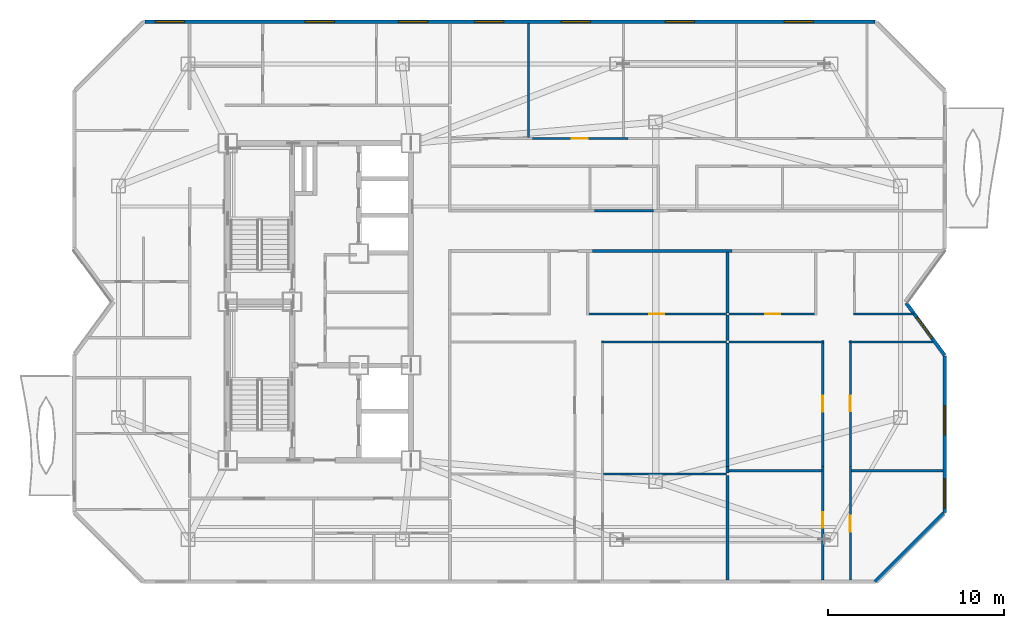
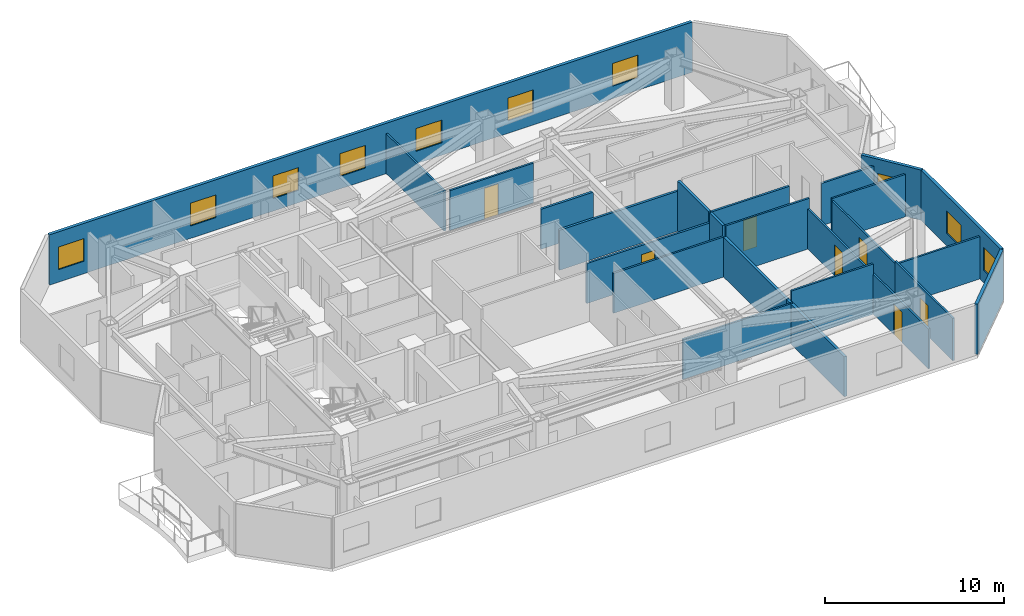
# One storey, part 7 of 10: 26 walls, 10 windows, 7 doors, 17 openings.
"""IFC4 building model written with IfcOpenShell, lengths in metres."""

from ifc_helpers import new_model, si_unit, direction, frame, frame_2d, origin, place, context, subcontext, project, spatial, rectangle, extrude, material, layer, layer_set, type_object, element, fill, save


model = new_model("IFC4")

# Units and contexts
model_context = context("Model", 3, precision=1e-05, world=origin(), true_north=direction((0.0, 1.0)))
body_context = subcontext(model_context, "Body", "Model", "MODEL_VIEW")
ifc_project = project(units=[si_unit("LENGTHUNIT", "METRE"), si_unit("AREAUNIT", "SQUARE_METRE"), si_unit("VOLUMEUNIT", "CUBIC_METRE"), si_unit("PLANEANGLEUNIT", "RADIAN"), si_unit("MASSUNIT", "GRAM", prefix="KILO")], contexts=[model_context])

# Site, building, storey
site_placement = place(None, origin())
site = spatial("IfcSite", under=ifc_project, at=site_placement, CompositionType="ELEMENT")
building_placement = place(site_placement, origin())
building = spatial("IfcBuilding", under=site, at=building_placement, Name="Khamvora Tower", CompositionType="ELEMENT")
storey_placement = place(building_placement, frame((0.0, 0.0, 228.14990234375)))
storey = spatial("IfcBuildingStorey", under=building, at=storey_placement, Name="L58", CompositionType="ELEMENT", Elevation=228.14990234375)

# Walls
ifc_material_1 = material(Name="Fire-Rated Drywall and Steel Stud", Category="steel")
ifc_layer_1 = layer(ifc_material_1, 0.14990234375)
ifc_layer_set_1 = layer_set([ifc_layer_1], Name="Fire-Rated Drywall and Steel Stud")
wall_type_1 = type_object("IfcWallType", Name="WAL-CORR-150", PredefinedType="STANDARD", material=ifc_layer_set_1)
wall_1_placement = place(storey_placement, frame((57.634033203125, 30.885009765625, 0.0), z_axis=(0.0, 0.0, 1.0), x_axis=(-1.0, 0.0, 0.0)))
element("IfcWall", 1, at=wall_1_placement, inside=storey, type_object=wall_type_1, Name="L58 interior partition wall 024", PredefinedType="STANDARD", context=body_context, shape_type="SweptSolid", body=[
    extrude(rectangle(XDim=7.93505859375, YDim=0.14990234375, at=frame_2d((3.967529296875, 0.0))), origin(), (0.0, 0.0, 1.0), 2.72509765625),
])
wall_2_placement = place(storey_placement, frame((49.819091796875, 33.1650390625, 0.0), z_axis=(0.0, 0.0, 1.0), x_axis=(1.0, 0.0, 0.0)))
element("IfcWall", 2, at=wall_2_placement, inside=storey, type_object=wall_type_1, Name="L58 interior partition wall 035", PredefinedType="STANDARD", context=body_context, shape_type="SweptSolid", body=[
    extrude(rectangle(XDim=3.366943359375, YDim=0.14990234375, at=frame_2d((1.68359375, 0.0))), origin(), (0.0, 0.0, 1.0), 2.72509765625),
])
ifc_material_2 = material(Name="Acoustic Double-Stud Fire Wall", Category="gypsum")
ifc_layer_2 = layer(ifc_material_2, 0.179931640625)
ifc_layer_set_2 = layer_set([ifc_layer_2], Name="Acoustic Double-Stud Fire Wall")
wall_type_2 = type_object("IfcWallType", Name="WAL-CORR-180", PredefinedType="STANDARD", material=ifc_layer_set_2)
wall_3_placement = place(storey_placement, frame((57.385009765625, 27.239990234375, 0.0), z_axis=(0.0, 0.0, 1.0), x_axis=(0.0, -1.0, 0.0)))
element("IfcWall", 3, at=wall_3_placement, inside=storey, type_object=wall_type_2, Name="L58 interior partition wall 072", PredefinedType="STANDARD", context=body_context, shape_type="SweptSolid", body=[
    extrude(rectangle(XDim=1.449951171875, YDim=0.179931640625, at=frame_2d((0.72509765625, 0.0))), origin(), (0.0, 0.0, 1.0), 3.43017578125),
])
wall_4_placement = place(storey_placement, frame((57.385009765625, 30.820068359375, 0.0), z_axis=(0.0, 0.0, 1.0), x_axis=(0.0, -1.0, 0.0)))
element("IfcWall", 4, at=wall_4_placement, inside=storey, type_object=wall_type_2, Name="L58 interior partition wall 073", PredefinedType="STANDARD", context=body_context, shape_type="SweptSolid", body=[
    extrude(rectangle(XDim=3.449951171875, YDim=0.179931640625, at=frame_2d((1.72509765625, 0.0))), origin(), (0.0, 0.0, 1.0), 3.43017578125),
])
wall_5_placement = place(storey_placement, frame((57.385009765625, 18.14892578125, 0.0), z_axis=(0.0, 0.0, 1.0), x_axis=(0.0, -1.0, 0.0)))
element("IfcWall", 5, at=wall_5_placement, inside=storey, type_object=wall_type_2, Name="L58 interior partition wall 076", PredefinedType="STANDARD", context=body_context, shape_type="SweptSolid", body=[
    extrude(rectangle(XDim=5.95703125, YDim=0.179931640625, at=frame_2d((2.978515625, 0.0))), origin(), (0.0, 0.0, 1.0), 2.72509765625),
])
wall_6_placement = place(storey_placement, frame((57.385009765625, 18.653076171875, 0.0), z_axis=(0.0, 0.0, 1.0), x_axis=(0.0, -1.0, 0.0)))
element("IfcWall", 6, at=wall_6_placement, inside=storey, type_object=wall_type_2, Name="L58 interior partition wall 077", PredefinedType="STANDARD", context=body_context, shape_type="SweptSolid", body=[
    extrude(rectangle(XDim=0.3740234375, YDim=0.179931640625, at=frame_2d((0.18701171875, 0.0))), origin(), (0.0, 0.0, 1.0), 2.72509765625),
])
wall_7_placement = place(storey_placement, frame((57.385009765625, 25.659912109375, 0.0), z_axis=(0.0, 0.0, 1.0), x_axis=(0.0, -1.0, 0.0)))
element("IfcWall", 7, at=wall_7_placement, inside=storey, type_object=wall_type_2, Name="L58 interior partition wall 078", PredefinedType="STANDARD", context=body_context, shape_type="SweptSolid", body=[
    extrude(rectangle(XDim=7.0068359375, YDim=0.179931640625, at=frame_2d((3.50341796875, 0.0))), origin(), (0.0, 0.0, 1.0), 2.72509765625),
])

# Wall, openings, windows
ifc_material_3 = material(Name="Precast concrete C40/50", Category="concrete")
ifc_layer_3 = layer(ifc_material_3, 0.199951171875)
ifc_layer_set_3 = layer_set([ifc_layer_3], Name="Precast concrete C40/50")
wall_type_3 = type_object("IfcWallType", Name="WAL-EXT-200", PredefinedType="STANDARD", material=ifc_layer_set_3)
wall_8_placement = place(storey_placement, frame((24.302001953125, 43.89990234375, 0.0), z_axis=(0.0, 0.0, 1.0), x_axis=(1.0, 0.0, 0.0)))
wall_8 = element("IfcWall", 8, at=wall_8_placement, inside=storey, type_object=wall_type_3, Name="L58 exterior facade wall 07.1", PredefinedType="STANDARD", context=body_context, shape_type="SweptSolid", body=[
    extrude(rectangle(XDim=41.45703125, YDim=0.199951171875, at=frame_2d((20.728515625, 0.0))), origin(), (0.0, 0.0, 1.0), 3.43017578125),
])
opening_1_placement = place(wall_8_placement, frame((0.583984375, 0.0, 0.85009765625)))
opening_1 = element("IfcOpeningElement", 9, at=opening_1_placement, cuts=wall_8, Name="Opening WN-06", PredefinedType="OPENING", context=body_context, shape_type="SweptSolid", body=[
    extrude(rectangle(XDim=1.64990234375, YDim=1.550048828125, at=frame_2d((0.824951171875, 0.77490234375))), frame((0.0, 0.10986328125, 0.0), z_axis=(0.0, -1.0, 0.0), x_axis=(1.0, 0.0, 0.0)), (0.0, 0.0, 1.0), 0.219970703125),
])
opening_2_placement = place(wall_8_placement, frame((9.097900390625, 0.0, 0.85009765625)))
opening_2 = element("IfcOpeningElement", 10, at=opening_2_placement, cuts=wall_8, Name="Opening WN-06", PredefinedType="OPENING", context=body_context, shape_type="SweptSolid", body=[
    extrude(rectangle(XDim=1.64990234375, YDim=1.550048828125, at=frame_2d((0.824951171875, 0.77490234375))), frame((0.0, 0.10986328125, 0.0), z_axis=(0.0, -1.0, 0.0), x_axis=(1.0, 0.0, 0.0)), (0.0, 0.0, 1.0), 0.219970703125),
])
opening_3_placement = place(wall_8_placement, frame((14.405029296875, 0.0, 0.85009765625)))
opening_3 = element("IfcOpeningElement", 11, at=opening_3_placement, cuts=wall_8, Name="Opening WN-06", PredefinedType="OPENING", context=body_context, shape_type="SweptSolid", body=[
    extrude(rectangle(XDim=1.64990234375, YDim=1.550048828125, at=frame_2d((0.824951171875, 0.77490234375))), frame((0.0, 0.10986328125, 0.0), z_axis=(0.0, -1.0, 0.0), x_axis=(1.0, 0.0, 0.0)), (0.0, 0.0, 1.0), 0.219970703125),
])
opening_4_placement = place(wall_8_placement, frame((18.716064453125, 0.0, 0.85009765625)))
opening_4 = element("IfcOpeningElement", 12, at=opening_4_placement, cuts=wall_8, Name="Opening WN-06", PredefinedType="OPENING", context=body_context, shape_type="SweptSolid", body=[
    extrude(rectangle(XDim=1.64990234375, YDim=1.550048828125, at=frame_2d((0.824951171875, 0.77490234375))), frame((0.0, 0.10986328125, 0.0), z_axis=(0.0, -1.0, 0.0), x_axis=(1.0, 0.0, 0.0)), (0.0, 0.0, 1.0), 0.219970703125),
])
opening_5_placement = place(wall_8_placement, frame((23.64306640625, 0.0, 0.85009765625)))
opening_5 = element("IfcOpeningElement", 13, at=opening_5_placement, cuts=wall_8, Name="Opening WN-06", PredefinedType="OPENING", context=body_context, shape_type="SweptSolid", body=[
    extrude(rectangle(XDim=1.64990234375, YDim=1.550048828125, at=frame_2d((0.824951171875, 0.77490234375))), frame((0.0, 0.10986328125, 0.0), z_axis=(0.0, -1.0, 0.0), x_axis=(1.0, 0.0, 0.0)), (0.0, 0.0, 1.0), 0.219970703125),
])
opening_6_placement = place(wall_8_placement, frame((29.548095703125, 0.0, 0.85009765625)))
opening_6 = element("IfcOpeningElement", 14, at=opening_6_placement, cuts=wall_8, Name="Opening WN-06", PredefinedType="OPENING", context=body_context, shape_type="SweptSolid", body=[
    extrude(rectangle(XDim=1.64990234375, YDim=1.550048828125, at=frame_2d((0.824951171875, 0.77490234375))), frame((0.0, 0.10986328125, 0.0), z_axis=(0.0, -1.0, 0.0), x_axis=(1.0, 0.0, 0.0)), (0.0, 0.0, 1.0), 0.219970703125),
])
opening_7_placement = place(wall_8_placement, frame((36.300048828125, 0.0, 0.85009765625)))
opening_7 = element("IfcOpeningElement", 15, at=opening_7_placement, cuts=wall_8, Name="Opening WN-06", PredefinedType="OPENING", context=body_context, shape_type="SweptSolid", body=[
    extrude(rectangle(XDim=1.64990234375, YDim=1.550048828125, at=frame_2d((0.824951171875, 0.77490234375))), frame((0.0, 0.10986328125, 0.0), z_axis=(0.0, -1.0, 0.0), x_axis=(1.0, 0.0, 0.0)), (0.0, 0.0, 1.0), 0.219970703125),
])
ifc_material_4 = material(Name="Low-E Laminated Double Glazing", Category="glass")
window_type_1 = type_object("IfcWindowType", Name="WIN-VIS-1650x1550", PartitioningType="SINGLE_PANEL", PredefinedType="WINDOW", material=ifc_material_4)
window_1_placement = place(opening_1_placement, origin())
window_1 = element("IfcWindow", 16, at=window_1_placement, inside=storey, type_object=window_type_1, Name="L58 vision window 07.1.01", OverallHeight=1.550048828125, OverallWidth=1.64990234375, PartitioningType="SINGLE_PANEL", PredefinedType="WINDOW", context=body_context, shape_type="SweptSolid", body=[
    extrude(rectangle(XDim=1.64990234375, YDim=1.550048828125, at=frame_2d((0.824951171875, 0.77490234375))), frame((0.0, 0.030029296875, 0.0), z_axis=(0.0, -1.0, 0.0), x_axis=(1.0, 0.0, 0.0)), (0.0, 0.0, 1.0), 0.06005859375),
])
fill(opening_1, window_1)
window_2_placement = place(opening_2_placement, origin())
window_2 = element("IfcWindow", 17, at=window_2_placement, inside=storey, type_object=window_type_1, Name="L58 vision window 07.1.02", OverallHeight=1.550048828125, OverallWidth=1.64990234375, PartitioningType="SINGLE_PANEL", PredefinedType="WINDOW", context=body_context, shape_type="SweptSolid", body=[
    extrude(rectangle(XDim=1.64990234375, YDim=1.550048828125, at=frame_2d((0.824951171875, 0.77490234375))), frame((0.0, 0.030029296875, 0.0), z_axis=(0.0, -1.0, 0.0), x_axis=(1.0, 0.0, 0.0)), (0.0, 0.0, 1.0), 0.06005859375),
])
fill(opening_2, window_2)
window_3_placement = place(opening_3_placement, origin())
window_3 = element("IfcWindow", 18, at=window_3_placement, inside=storey, type_object=window_type_1, Name="L58 vision window 07.1.03", OverallHeight=1.550048828125, OverallWidth=1.64990234375, PartitioningType="SINGLE_PANEL", PredefinedType="WINDOW", context=body_context, shape_type="SweptSolid", body=[
    extrude(rectangle(XDim=1.64990234375, YDim=1.550048828125, at=frame_2d((0.824951171875, 0.77490234375))), frame((0.0, 0.030029296875, 0.0), z_axis=(0.0, -1.0, 0.0), x_axis=(1.0, 0.0, 0.0)), (0.0, 0.0, 1.0), 0.06005859375),
])
fill(opening_3, window_3)
window_4_placement = place(opening_4_placement, origin())
window_4 = element("IfcWindow", 19, at=window_4_placement, inside=storey, type_object=window_type_1, Name="L58 vision window 07.1.04", OverallHeight=1.550048828125, OverallWidth=1.64990234375, PartitioningType="SINGLE_PANEL", PredefinedType="WINDOW", context=body_context, shape_type="SweptSolid", body=[
    extrude(rectangle(XDim=1.64990234375, YDim=1.550048828125, at=frame_2d((0.824951171875, 0.77490234375))), frame((0.0, 0.030029296875, 0.0), z_axis=(0.0, -1.0, 0.0), x_axis=(1.0, 0.0, 0.0)), (0.0, 0.0, 1.0), 0.06005859375),
])
fill(opening_4, window_4)
window_5_placement = place(opening_5_placement, origin())
window_5 = element("IfcWindow", 20, at=window_5_placement, inside=storey, type_object=window_type_1, Name="L58 vision window 07.1.05", OverallHeight=1.550048828125, OverallWidth=1.64990234375, PartitioningType="SINGLE_PANEL", PredefinedType="WINDOW", context=body_context, shape_type="SweptSolid", body=[
    extrude(rectangle(XDim=1.64990234375, YDim=1.550048828125, at=frame_2d((0.824951171875, 0.77490234375))), frame((0.0, 0.030029296875, 0.0), z_axis=(0.0, -1.0, 0.0), x_axis=(1.0, 0.0, 0.0)), (0.0, 0.0, 1.0), 0.06005859375),
])
fill(opening_5, window_5)
window_6_placement = place(opening_6_placement, origin())
window_6 = element("IfcWindow", 21, at=window_6_placement, inside=storey, type_object=window_type_1, Name="L58 vision window 07.1.06", OverallHeight=1.550048828125, OverallWidth=1.64990234375, PartitioningType="SINGLE_PANEL", PredefinedType="WINDOW", context=body_context, shape_type="SweptSolid", body=[
    extrude(rectangle(XDim=1.64990234375, YDim=1.550048828125, at=frame_2d((0.824951171875, 0.77490234375))), frame((0.0, 0.030029296875, 0.0), z_axis=(0.0, -1.0, 0.0), x_axis=(1.0, 0.0, 0.0)), (0.0, 0.0, 1.0), 0.06005859375),
])
fill(opening_6, window_6)
window_7_placement = place(opening_7_placement, origin())
window_7 = element("IfcWindow", 22, at=window_7_placement, inside=storey, type_object=window_type_1, Name="L58 vision window 07.1.07", OverallHeight=1.550048828125, OverallWidth=1.64990234375, PartitioningType="SINGLE_PANEL", PredefinedType="WINDOW", context=body_context, shape_type="SweptSolid", body=[
    extrude(rectangle(XDim=1.64990234375, YDim=1.550048828125, at=frame_2d((0.824951171875, 0.77490234375))), frame((0.0, 0.030029296875, 0.0), z_axis=(0.0, -1.0, 0.0), x_axis=(1.0, 0.0, 0.0)), (0.0, 0.0, 1.0), 0.06005859375),
])
fill(opening_7, window_7)

# Wall, opening, window
wall_9_placement = place(storey_placement, frame((67.527099609375, 27.930908203125, 0.0), z_axis=(0.0, 0.0, 1.0), x_axis=(0.591248456881, -0.80648946815, 0.0)))
wall_9 = element("IfcWall", 23, at=wall_9_placement, inside=storey, type_object=wall_type_3, Name="L58 exterior facade wall 11.1", PredefinedType="STANDARD", context=body_context, shape_type="SweptSolid", body=[
    extrude(rectangle(XDim=3.675048828125, YDim=0.199951171875, at=frame_2d((1.83740234375, 0.0))), origin(), (0.0, 0.0, 1.0), 3.43017578125),
])
opening_8_placement = place(wall_9_placement, frame((0.998046875, 0.0, 0.85009765625)))
opening_8 = element("IfcOpeningElement", 24, at=opening_8_placement, cuts=wall_9, Name="Opening WN-02", PredefinedType="OPENING", context=body_context, shape_type="SweptSolid", body=[
    extrude(rectangle(XDim=1.5, YDim=1.60009765625, at=frame_2d((0.75, 0.800048828125))), frame((0.0, 0.10986328125, 0.0), z_axis=(0.0, -1.0, 0.0), x_axis=(1.0, 0.0, 0.0)), (0.0, 0.0, 1.0), 0.219970703125),
])
window_type_2 = type_object("IfcWindowType", Name="WIN-VIS-1500x1600", PartitioningType="SINGLE_PANEL", PredefinedType="WINDOW", material=ifc_material_4)
window_8_placement = place(opening_8_placement, origin())
window_8 = element("IfcWindow", 25, at=window_8_placement, inside=storey, type_object=window_type_2, Name="L58 vision window 11.1.01", OverallHeight=1.60009765625, OverallWidth=1.5, PartitioningType="SINGLE_PANEL", PredefinedType="WINDOW", context=body_context, shape_type="SweptSolid", body=[
    extrude(rectangle(XDim=1.5, YDim=1.60009765625, at=frame_2d((0.75, 0.800048828125))), frame((0.0, 0.030029296875, 0.0), z_axis=(0.0, -1.0, 0.0), x_axis=(1.0, 0.0, 0.0)), (0.0, 0.0, 1.0), 0.06005859375),
])
fill(opening_8, window_8)

# Wall, openings, windows
wall_10_placement = place(storey_placement, frame((69.699951171875, 24.916015625, 0.0), z_axis=(0.0, 0.0, 1.0), x_axis=(0.0, -1.0, 0.0)))
wall_10 = element("IfcWall", 26, at=wall_10_placement, inside=storey, type_object=wall_type_3, Name="L58 exterior facade wall 12.1", PredefinedType="STANDARD", context=body_context, shape_type="SweptSolid", body=[
    extrude(rectangle(XDim=8.875, YDim=0.199951171875, at=frame_2d((4.4375, 0.0))), origin(), (0.0, 0.0, 1.0), 3.43017578125),
])
opening_9_placement = place(wall_10_placement, frame((6.97607421875, 0.0, 0.85009765625)))
opening_9 = element("IfcOpeningElement", 27, at=opening_9_placement, cuts=wall_10, Name="Opening WN-06", PredefinedType="OPENING", context=body_context, shape_type="SweptSolid", body=[
    extrude(rectangle(XDim=1.64990234375, YDim=1.550048828125, at=frame_2d((0.824951171875, 0.77490234375))), frame((0.0, 0.10986328125, 0.0), z_axis=(0.0, -1.0, 0.0), x_axis=(1.0, 0.0, 0.0)), (0.0, 0.0, 1.0), 0.219970703125),
])
opening_10_placement = place(wall_10_placement, frame((2.822998046875, 0.0, 0.85009765625)))
opening_10 = element("IfcOpeningElement", 28, at=opening_10_placement, cuts=wall_10, Name="Opening WN-06", PredefinedType="OPENING", context=body_context, shape_type="SweptSolid", body=[
    extrude(rectangle(XDim=1.64990234375, YDim=1.550048828125, at=frame_2d((0.824951171875, 0.77490234375))), frame((0.0, 0.10986328125, 0.0), z_axis=(0.0, -1.0, 0.0), x_axis=(1.0, 0.0, 0.0)), (0.0, 0.0, 1.0), 0.219970703125),
])
window_9_placement = place(opening_9_placement, origin())
window_9 = element("IfcWindow", 29, at=window_9_placement, inside=storey, type_object=window_type_1, Name="L58 vision window 12.1.01", OverallHeight=1.550048828125, OverallWidth=1.64990234375, PartitioningType="SINGLE_PANEL", PredefinedType="WINDOW", context=body_context, shape_type="SweptSolid", body=[
    extrude(rectangle(XDim=1.64990234375, YDim=1.550048828125, at=frame_2d((0.824951171875, 0.77490234375))), frame((0.0, 0.030029296875, 0.0), z_axis=(0.0, -1.0, 0.0), x_axis=(1.0, 0.0, 0.0)), (0.0, 0.0, 1.0), 0.06005859375),
])
fill(opening_9, window_9)
window_10_placement = place(opening_10_placement, origin())
window_10 = element("IfcWindow", 30, at=window_10_placement, inside=storey, type_object=window_type_1, Name="L58 vision window 12.1.02", OverallHeight=1.550048828125, OverallWidth=1.64990234375, PartitioningType="SINGLE_PANEL", PredefinedType="WINDOW", context=body_context, shape_type="SweptSolid", body=[
    extrude(rectangle(XDim=1.64990234375, YDim=1.550048828125, at=frame_2d((0.824951171875, 0.77490234375))), frame((0.0, 0.030029296875, 0.0), z_axis=(0.0, -1.0, 0.0), x_axis=(1.0, 0.0, 0.0)), (0.0, 0.0, 1.0), 0.06005859375),
])
fill(opening_10, window_10)

# Walls
wall_11_placement = place(storey_placement, frame((69.655029296875, 15.99609375, 0.0), z_axis=(0.0, 0.0, 1.0), x_axis=(-0.707106781187, -0.707106781187, 0.0)))
element("IfcWall", 31, at=wall_11_placement, inside=storey, type_object=wall_type_3, Name="L58 exterior facade wall 13.1", PredefinedType="STANDARD", context=body_context, shape_type="SweptSolid", body=[
    extrude(rectangle(XDim=5.509765625, YDim=0.199951171875, at=frame_2d((2.7548828125, 0.0))), origin(), (0.0, 0.0, 1.0), 3.43017578125),
])
ifc_material_5 = material(Name="Gypsum Plasterboard Partition", Category="gypsum")
ifc_layer_4 = layer(ifc_material_5, 0.1201171875)
ifc_layer_set_4 = layer_set([ifc_layer_4], Name="Gypsum Plasterboard Partition")
wall_type_4 = type_object("IfcWallType", Name="WAL-PART-120", PredefinedType="PARTITIONING", material=ifc_layer_set_4)
wall_12_placement = place(storey_placement, frame((57.320068359375, 25.72509765625, 0.0), z_axis=(0.0, 0.0, 1.0), x_axis=(-1.0, 0.0, 0.0)))
element("IfcWall", 32, at=wall_12_placement, inside=storey, type_object=wall_type_4, Name="L58 interior partition wall 070", PredefinedType="PARTITIONING", context=body_context, shape_type="SweptSolid", body=[
    extrude(rectangle(XDim=7.10009765625, YDim=0.1201171875, at=frame_2d((3.550048828125, 0.0))), origin(), (0.0, 0.0, 1.0), 2.72509765625),
])
wall_13_placement = place(storey_placement, frame((50.339111328125, 18.214111328125, 0.0), z_axis=(0.0, 0.0, 1.0), x_axis=(1.0, 0.0, 0.0)))
element("IfcWall", 33, at=wall_13_placement, inside=storey, type_object=wall_type_4, Name="L58 interior partition wall 075", PredefinedType="PARTITIONING", context=body_context, shape_type="SweptSolid", body=[
    extrude(rectangle(XDim=6.98095703125, YDim=0.1201171875, at=frame_2d((3.490478515625, 0.0))), origin(), (0.0, 0.0, 1.0), 2.72509765625),
])

# Wall, opening, door
wall_14_placement = place(storey_placement, frame((62.784912109375, 12.19189453125, 0.0), z_axis=(0.0, 0.0, 1.0), x_axis=(0.0, 1.0, 0.0)))
wall_14 = element("IfcWall", 34, at=wall_14_placement, inside=storey, type_object=wall_type_4, Name="L58 interior partition wall 083", PredefinedType="PARTITIONING", context=body_context, shape_type="SweptSolid", body=[
    extrude(rectangle(XDim=6.461181640625, YDim=0.1201171875, at=frame_2d((3.23046875, 0.0))), origin(), (0.0, 0.0, 1.0), 2.72509765625),
])
opening_11_placement = place(wall_14_placement, frame((2.966064453125, 0.0, 0.0)))
opening_11 = element("IfcOpeningElement", 35, at=opening_11_placement, cuts=wall_14, Name="Opening D-RM1", PredefinedType="OPENING", context=body_context, shape_type="SweptSolid", body=[
    extrude(rectangle(XDim=0.89990234375, YDim=2.10009765625, at=frame_2d((0.449951171875, 1.050048828125))), frame((0.0, 0.070068359375, 0.0), z_axis=(0.0, -1.0, 0.0), x_axis=(1.0, 0.0, 0.0)), (0.0, 0.0, 1.0), 0.14013671875),
])
ifc_material_6 = material(Name="Powder-Coated Steel and Hardwood Leaf", Category="steel")
door_type_1 = type_object("IfcDoorType", Name="DOR-ROOM-900", OperationType="NOTDEFINED", PredefinedType="DOOR", material=ifc_material_6)
door_1_placement = place(opening_11_placement, origin())
door_1 = element("IfcDoor", 36, at=door_1_placement, inside=storey, type_object=door_type_1, Name="L58 interior door 58EBH-58EBL", OperationType="SINGLE_SWING_RIGHT", OverallHeight=2.10009765625, OverallWidth=0.89990234375, PredefinedType="DOOR", context=body_context, shape_type="SweptSolid", body=[
    extrude(rectangle(XDim=0.89990234375, YDim=2.10009765625, at=frame_2d((0.449951171875, 1.050048828125))), frame((0.0, 0.02490234375, 0.0), z_axis=(0.0, -1.0, 0.0), x_axis=(1.0, 0.0, 0.0)), (0.0, 0.0, 1.0), 0.050048828125),
])
fill(opening_11, door_1)

wall_15_placement = place(storey_placement, frame((62.784912109375, 18.653076171875, 0.0), z_axis=(0.0, 0.0, 1.0), x_axis=(0.0, 1.0, 0.0)))
wall_15 = element("IfcWall", 37, at=wall_15_placement, inside=storey, type_object=wall_type_4, Name="L58 interior partition wall 084", PredefinedType="PARTITIONING", context=body_context, shape_type="SweptSolid", body=[
    extrude(rectangle(XDim=7.136962890625, YDim=0.1201171875, at=frame_2d((3.568359375, 0.0))), origin(), (0.0, 0.0, 1.0), 2.72509765625),
])
opening_12_placement = place(wall_15_placement, frame((3.117919921875, 0.0, 0.0)))
opening_12 = element("IfcOpeningElement", 38, at=opening_12_placement, cuts=wall_15, Name="Opening D-RM1", PredefinedType="OPENING", context=body_context, shape_type="SweptSolid", body=[
    extrude(rectangle(XDim=0.89990234375, YDim=2.10009765625, at=frame_2d((0.449951171875, 1.050048828125))), frame((0.0, 0.070068359375, 0.0), z_axis=(0.0, -1.0, 0.0), x_axis=(1.0, 0.0, 0.0)), (0.0, 0.0, 1.0), 0.14013671875),
])
door_2_placement = place(opening_12_placement, origin())
door_2 = element("IfcDoor", 39, at=door_2_placement, inside=storey, type_object=door_type_1, Name="L58 interior door 58EBH-58EBR2", OperationType="SINGLE_SWING_RIGHT", OverallHeight=2.10009765625, OverallWidth=0.89990234375, PredefinedType="DOOR", context=body_context, shape_type="SweptSolid", body=[
    extrude(rectangle(XDim=0.89990234375, YDim=2.10009765625, at=frame_2d((0.449951171875, 1.050048828125))), frame((0.0, 0.02490234375, 0.0), z_axis=(0.0, -1.0, 0.0), x_axis=(1.0, 0.0, 0.0)), (0.0, 0.0, 1.0), 0.050048828125),
])
fill(opening_12, door_2)

# Wall
wall_16_placement = place(storey_placement, frame((62.85009765625, 25.72509765625, 0.0), z_axis=(0.0, 0.0, 1.0), x_axis=(-1.0, 0.0, 0.0)))
element("IfcWall", 40, at=wall_16_placement, inside=storey, type_object=wall_type_4, Name="L58 interior partition wall 085", PredefinedType="PARTITIONING", context=body_context, shape_type="SweptSolid", body=[
    extrude(rectangle(XDim=5.400146484375, YDim=0.1201171875, at=frame_2d((2.7001953125, 0.0))), origin(), (0.0, 0.0, 1.0), 3.43017578125),
])

# Wall, opening, door
wall_17_placement = place(storey_placement, frame((64.35498046875, 18.653076171875, 0.0), z_axis=(0.0, 0.0, 1.0), x_axis=(0.0, -1.0, 0.0)))
wall_17 = element("IfcWall", 41, at=wall_17_placement, inside=storey, type_object=wall_type_4, Name="L58 interior partition wall 086", PredefinedType="PARTITIONING", context=body_context, shape_type="SweptSolid", body=[
    extrude(rectangle(XDim=6.461181640625, YDim=0.1201171875, at=frame_2d((3.23046875, 0.0))), origin(), (0.0, 0.0, 1.0), 2.88720703125),
])
opening_13_placement = place(wall_17_placement, frame((2.801025390625, 0.0, 0.0)))
opening_13 = element("IfcOpeningElement", 42, at=opening_13_placement, cuts=wall_17, Name="Opening D-RM1", PredefinedType="OPENING", context=body_context, shape_type="SweptSolid", body=[
    extrude(rectangle(XDim=0.89990234375, YDim=2.10009765625, at=frame_2d((0.449951171875, 1.050048828125))), frame((0.0, 0.070068359375, 0.0), z_axis=(0.0, -1.0, 0.0), x_axis=(1.0, 0.0, 0.0)), (0.0, 0.0, 1.0), 0.14013671875),
])
door_3_placement = place(opening_13_placement, origin())
door_3 = element("IfcDoor", 43, at=door_3_placement, inside=storey, type_object=door_type_1, Name="L58 interior door 58EBH-58EBR3", OperationType="SINGLE_SWING_LEFT", OverallHeight=2.10009765625, OverallWidth=0.89990234375, PredefinedType="DOOR", context=body_context, shape_type="SweptSolid", body=[
    extrude(rectangle(XDim=0.89990234375, YDim=2.10009765625, at=frame_2d((0.449951171875, 1.050048828125))), frame((0.0, 0.02490234375, 0.0), z_axis=(0.0, -1.0, 0.0), x_axis=(1.0, 0.0, 0.0)), (0.0, 0.0, 1.0), 0.050048828125),
])
fill(opening_13, door_3)

wall_18_placement = place(storey_placement, frame((64.35498046875, 25.7900390625, 0.0), z_axis=(0.0, 0.0, 1.0), x_axis=(0.0, -1.0, 0.0)))
wall_18 = element("IfcWall", 44, at=wall_18_placement, inside=storey, type_object=wall_type_4, Name="L58 interior partition wall 087", PredefinedType="PARTITIONING", context=body_context, shape_type="SweptSolid", body=[
    extrude(rectangle(XDim=7.136962890625, YDim=0.1201171875, at=frame_2d((3.568359375, 0.0))), origin(), (0.0, 0.0, 1.0), 2.72509765625),
])
opening_14_placement = place(wall_18_placement, frame((3.117919921875, 0.0, 0.0)))
opening_14 = element("IfcOpeningElement", 45, at=opening_14_placement, cuts=wall_18, Name="Opening D-RM1", PredefinedType="OPENING", context=body_context, shape_type="SweptSolid", body=[
    extrude(rectangle(XDim=0.89990234375, YDim=2.10009765625, at=frame_2d((0.449951171875, 1.050048828125))), frame((0.0, 0.070068359375, 0.0), z_axis=(0.0, -1.0, 0.0), x_axis=(1.0, 0.0, 0.0)), (0.0, 0.0, 1.0), 0.14013671875),
])
door_4_placement = place(opening_14_placement, origin())
door_4 = element("IfcDoor", 46, at=door_4_placement, inside=storey, type_object=door_type_1, Name="L58 interior door 58EBH-58EBR4", OperationType="SINGLE_SWING_RIGHT", OverallHeight=2.10009765625, OverallWidth=0.89990234375, PredefinedType="DOOR", context=body_context, shape_type="SweptSolid", body=[
    extrude(rectangle(XDim=0.89990234375, YDim=2.10009765625, at=frame_2d((0.449951171875, 1.050048828125))), frame((0.0, 0.02490234375, 0.0), z_axis=(0.0, -1.0, 0.0), x_axis=(1.0, 0.0, 0.0)), (0.0, 0.0, 1.0), 0.050048828125),
])
fill(opening_14, door_4)

# Walls
wall_19_placement = place(storey_placement, frame((69.041015625, 25.72509765625, 0.0), z_axis=(0.0, 0.0, 1.0), x_axis=(-1.0, 0.0, 0.0)))
element("IfcWall", 47, at=wall_19_placement, inside=storey, type_object=wall_type_4, Name="L58 interior partition wall 088", PredefinedType="PARTITIONING", context=body_context, shape_type="SweptSolid", body=[
    extrude(rectangle(XDim=4.7509765625, YDim=0.1201171875, at=frame_2d((2.37548828125, 0.0))), origin(), (0.0, 0.0, 1.0), 2.88720703125),
])
wall_20_placement = place(storey_placement, frame((57.467041015625, 18.404052734375, 0.0), z_axis=(0.0, 0.0, 1.0), x_axis=(1.0, 0.0, 0.0)))
element("IfcWall", 48, at=wall_20_placement, inside=storey, type_object=wall_type_4, Name="L58 interior partition wall 089", PredefinedType="PARTITIONING", context=body_context, shape_type="SweptSolid", body=[
    extrude(rectangle(XDim=5.263916015625, YDim=0.1201171875, at=frame_2d((2.6318359375, 0.0))), origin(), (0.0, 0.0, 1.0), 3.43017578125),
])
wall_21_placement = place(storey_placement, frame((64.408935546875, 18.404052734375, 0.0), z_axis=(0.0, 0.0, 1.0), x_axis=(1.0, 0.0, 0.0)))
element("IfcWall", 49, at=wall_21_placement, inside=storey, type_object=wall_type_4, Name="L58 interior partition wall 090", PredefinedType="PARTITIONING", context=body_context, shape_type="SweptSolid", body=[
    extrude(rectangle(XDim=5.198974609375, YDim=0.1201171875, at=frame_2d((2.599609375, 0.0))), origin(), (0.0, 0.0, 1.0), 2.88720703125),
])

# Wall, opening, door
wall_22_placement = place(storey_placement, frame((46.319091796875, 37.27490234375, 0.0), z_axis=(0.0, 0.0, 1.0), x_axis=(1.0, 0.0, 0.0)))
wall_22 = element("IfcWall", 50, at=wall_22_placement, inside=storey, type_object=wall_type_4, Name="L58 interior partition wall 100", PredefinedType="PARTITIONING", context=body_context, shape_type="SweptSolid", body=[
    extrude(rectangle(XDim=5.39990234375, YDim=0.1201171875, at=frame_2d((2.699951171875, 0.0))), origin(), (0.0, 0.0, 1.0), 2.72509765625),
])
opening_15_placement = place(wall_22_placement, frame((2.22900390625, 0.0, 0.0)))
opening_15 = element("IfcOpeningElement", 51, at=opening_15_placement, cuts=wall_22, Name="Opening D-RM1", PredefinedType="OPENING", context=body_context, shape_type="SweptSolid", body=[
    extrude(rectangle(XDim=0.89990234375, YDim=2.10009765625, at=frame_2d((0.449951171875, 1.050048828125))), frame((0.0, 0.070068359375, 0.0), z_axis=(0.0, -1.0, 0.0), x_axis=(1.0, 0.0, 0.0)), (0.0, 0.0, 1.0), 0.14013671875),
])
door_5_placement = place(opening_15_placement, origin())
door_5 = element("IfcDoor", 52, at=door_5_placement, inside=storey, type_object=door_type_1, Name="L58 interior door 58ECH-58ECR2", OperationType="SINGLE_SWING_RIGHT", OverallHeight=2.10009765625, OverallWidth=0.89990234375, PredefinedType="DOOR", context=body_context, shape_type="SweptSolid", body=[
    extrude(rectangle(XDim=0.89990234375, YDim=2.10009765625, at=frame_2d((0.449951171875, 1.050048828125))), frame((0.0, 0.02490234375, 0.0), z_axis=(0.0, -1.0, 0.0), x_axis=(1.0, 0.0, 0.0)), (0.0, 0.0, 1.0), 0.050048828125),
])
fill(opening_15, door_5)

# Wall
wall_23_placement = place(storey_placement, frame((46.070068359375, 43.80810546875, 0.0), z_axis=(0.0, 0.0, 1.0), x_axis=(0.0, -1.0, 0.0)))
element("IfcWall", 53, at=wall_23_placement, inside=storey, type_object=wall_type_4, Name="L58 interior partition wall 104", PredefinedType="PARTITIONING", context=body_context, shape_type="SweptSolid", body=[
    extrude(rectangle(XDim=6.47900390625, YDim=0.1201171875, at=frame_2d((3.239501953125, 0.0))), origin(), (0.0, 0.0, 1.0), 2.72509765625),
])

# Wall, opening, door
ifc_material_7 = material(Name="Moisture-Resistant Plasterboard Partition", Category="gypsum")
ifc_layer_5 = layer(ifc_material_7, 0.135009765625)
ifc_layer_set_5 = layer_set([ifc_layer_5], Name="Moisture-Resistant Plasterboard Partition")
wall_type_5 = type_object("IfcWallType", Name="WAL-WET-135", PredefinedType="PARTITIONING", material=ifc_layer_set_5)
wall_24_placement = place(storey_placement, frame((49.385009765625, 27.304931640625, 0.0), z_axis=(0.0, 0.0, 1.0), x_axis=(1.0, 0.0, 0.0)))
wall_24 = element("IfcWall", 54, at=wall_24_placement, inside=storey, type_object=wall_type_5, Name="L58 interior partition wall 065", PredefinedType="PARTITIONING", context=body_context, shape_type="SweptSolid", body=[
    extrude(rectangle(XDim=7.93505859375, YDim=0.135009765625, at=frame_2d((3.967529296875, 0.0))), origin(), (0.0, 0.0, 1.0), 2.72509765625),
])
opening_16_placement = place(wall_24_placement, frame((3.5419921875, 0.0, 0.0)))
opening_16 = element("IfcOpeningElement", 55, at=opening_16_placement, cuts=wall_24, Name="Opening D-RM2", PredefinedType="OPENING", context=body_context, shape_type="SweptSolid", body=[
    extrude(rectangle(XDim=0.85009765625, YDim=2.10009765625, at=frame_2d((0.425048828125, 1.050048828125))), frame((0.0, 0.077392578125, 0.0), z_axis=(0.0, -1.0, 0.0), x_axis=(1.0, 0.0, 0.0)), (0.0, 0.0, 1.0), 0.155029296875),
])
door_type_2 = type_object("IfcDoorType", Name="DOR-ROOM-850", OperationType="NOTDEFINED", PredefinedType="DOOR", material=ifc_material_6)
door_6_placement = place(opening_16_placement, origin())
door_6 = element("IfcDoor", 56, at=door_6_placement, inside=storey, type_object=door_type_2, Name="L58 interior door 58EAH-58EAK", OperationType="SINGLE_SWING_LEFT", OverallHeight=2.10009765625, OverallWidth=0.85009765625, PredefinedType="DOOR", context=body_context, shape_type="SweptSolid", body=[
    extrude(rectangle(XDim=0.85009765625, YDim=2.10009765625, at=frame_2d((0.425048828125, 1.050048828125))), frame((0.0, 0.02490234375, 0.0), z_axis=(0.0, -1.0, 0.0), x_axis=(1.0, 0.0, 0.0)), (0.0, 0.0, 1.0), 0.050048828125),
])
fill(opening_16, door_6)

# Wall
wall_25_placement = place(storey_placement, frame((64.52587890625, 27.304931640625, 0.0), z_axis=(0.0, 0.0, 1.0), x_axis=(1.0, 0.0, 0.0)))
element("IfcWall", 57, at=wall_25_placement, inside=storey, type_object=wall_type_5, Name="L58 interior partition wall 080", PredefinedType="PARTITIONING", context=body_context, shape_type="SweptSolid", body=[
    extrude(rectangle(XDim=3.43115234375, YDim=0.135009765625, at=frame_2d((1.715576171875, 0.0))), origin(), (0.0, 0.0, 1.0), 2.88720703125),
])

# Wall, opening, door
wall_26_placement = place(storey_placement, frame((57.449951171875, 27.304931640625, 0.0), z_axis=(0.0, 0.0, 1.0), x_axis=(1.0, 0.0, 0.0)))
wall_26 = element("IfcWall", 58, at=wall_26_placement, inside=storey, type_object=wall_type_5, Name="L58 interior partition wall 081", PredefinedType="PARTITIONING", context=body_context, shape_type="SweptSolid", body=[
    extrude(rectangle(XDim=5.006103515625, YDim=0.135009765625, at=frame_2d((2.5029296875, 0.0))), origin(), (0.0, 0.0, 1.0), 3.43017578125),
])
opening_17_placement = place(wall_26_placement, frame((2.077880859375, 0.0, 0.0)))
opening_17 = element("IfcOpeningElement", 59, at=opening_17_placement, cuts=wall_26, Name="Opening D-RM2", PredefinedType="OPENING", context=body_context, shape_type="SweptSolid", body=[
    extrude(rectangle(XDim=0.85009765625, YDim=2.10009765625, at=frame_2d((0.425048828125, 1.050048828125))), frame((0.0, 0.077392578125, 0.0), z_axis=(0.0, -1.0, 0.0), x_axis=(1.0, 0.0, 0.0)), (0.0, 0.0, 1.0), 0.155029296875),
])
door_7_placement = place(opening_17_placement, origin())
door_7 = element("IfcDoor", 60, at=door_7_placement, inside=storey, type_object=door_type_2, Name="L58 interior door 58EBH-58EBK", OperationType="SINGLE_SWING_RIGHT", OverallHeight=2.10009765625, OverallWidth=0.85009765625, PredefinedType="DOOR", context=body_context, shape_type="SweptSolid", body=[
    extrude(rectangle(XDim=0.85009765625, YDim=2.10009765625, at=frame_2d((0.425048828125, 1.050048828125))), frame((0.0, 0.02490234375, 0.0), z_axis=(0.0, -1.0, 0.0), x_axis=(1.0, 0.0, 0.0)), (0.0, 0.0, 1.0), 0.050048828125),
])
fill(opening_17, door_7)

save(model, "model.ifc")
